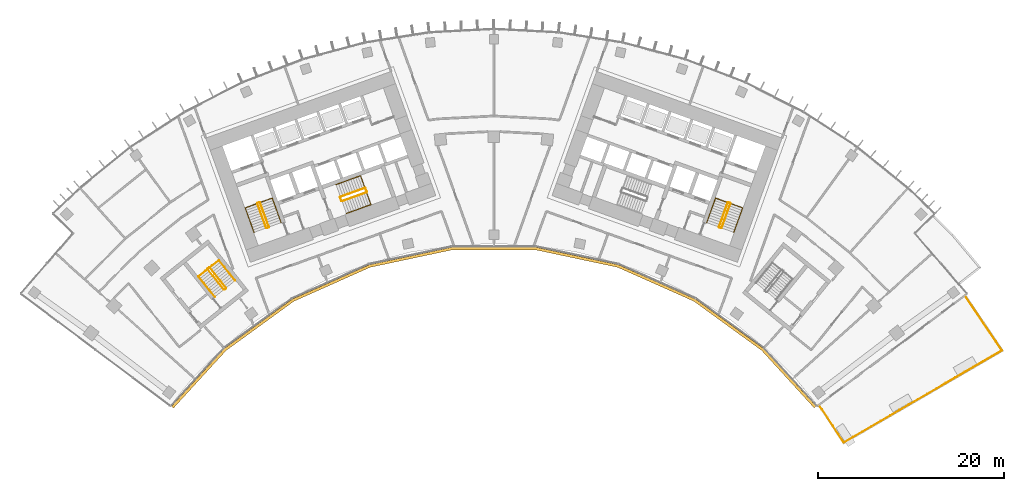
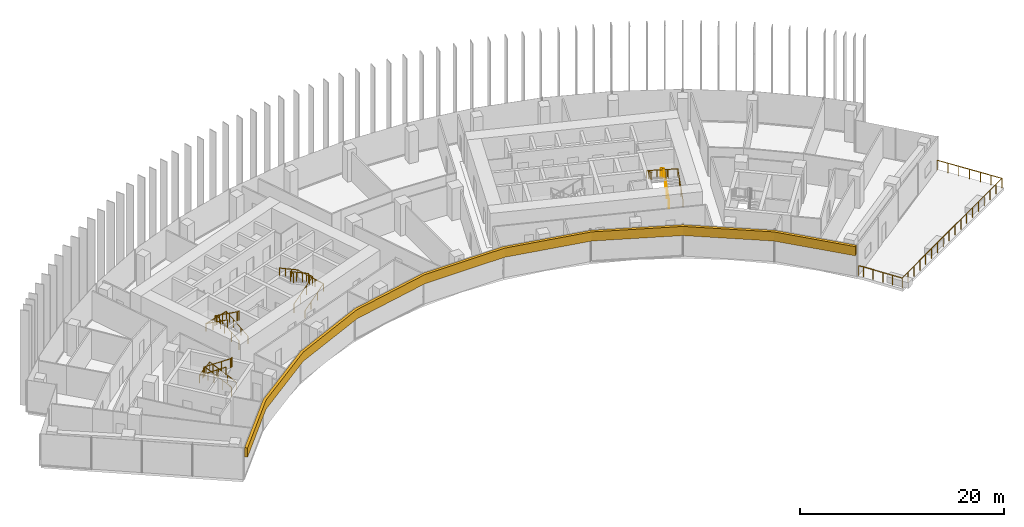
# One storey, part 21 of 23: 13 railings, 1 covering.
"""IFC4 building model written with IfcOpenShell, lengths in metres."""

from ifc_helpers import new_model, si_unit, direction, frame, origin, origin_2d, place, context, subcontext, project, spatial, polyline, circle, outline, extrude, material, layer, layer_set, type_object, element, save


model = new_model("IFC4")

# Units and contexts
model_context = context("Model", 3, precision=1e-05, world=origin(), true_north=direction((0.0, 1.0)))
body_context = subcontext(model_context, "Body", "Model", "MODEL_VIEW")
ifc_project = project(units=[si_unit("LENGTHUNIT", "METRE"), si_unit("AREAUNIT", "SQUARE_METRE"), si_unit("VOLUMEUNIT", "CUBIC_METRE"), si_unit("PLANEANGLEUNIT", "RADIAN"), si_unit("MASSUNIT", "GRAM", prefix="KILO")], contexts=[model_context])

# Site, building, storey
site_placement = place(None, origin())
site = spatial("IfcSite", under=ifc_project, at=site_placement, CompositionType="ELEMENT")
building_placement = place(site_placement, origin())
building = spatial("IfcBuilding", under=site, at=building_placement, Name="Stone Belt Terrace Tower", CompositionType="ELEMENT")
storey_placement = place(building_placement, frame((0.0, 0.0, 144.0)))
storey = spatial("IfcBuildingStorey", under=building, at=storey_placement, Name="L34", CompositionType="ELEMENT", Elevation=144.0)

# Railings
ifc_material_1 = material(Name="Structural steel C345", Category="steel")
railing_type_1 = type_object("IfcRailingType", Name="Stair guard 1100", PredefinedType="GUARDRAIL", material=ifc_material_1)
railing_1_placement = place(storey_placement, frame((-24.2119140625, 45.276123046875, 0.172607421875)))
element("IfcRailing", 1, at=railing_1_placement, inside=storey, type_object=railing_type_1, Name="L34 ST1A stair guard 1", PredefinedType="GUARDRAIL", context=body_context, shape_type="SweptSolid", body=[
    extrude(circle(Radius=0.02392578125, at=origin_2d()), frame((0.0, 0.0, 1.076171875), z_axis=(-0.288228637646, 0.800791768495, 0.525030280985), x_axis=(-0.940908529223, -0.338660803216, 0.0)), (0.0, 0.0, 1.0), 3.289794921875),
    extrude(circle(Radius=0.02392578125, at=origin_2d()), frame((-0.9482421875, 2.634521484375, 2.80322265625), z_axis=(-0.905209821074, 0.424964916, 0.0), x_axis=(-0.424964916, -0.905209821074, 0.0)), (0.0, 0.0, 1.0), 0.070556640625),
    extrude(circle(Radius=0.02392578125, at=origin_2d()), frame((-1.01220703125, 2.66455078125, 2.80322265625), z_axis=(-0.941105063269, -0.338114270461, 0.0), x_axis=(0.338114270461, -0.941105063269, 0.0)), (0.0, 0.0, 1.0), 0.199951171875),
    extrude(circle(Radius=0.02099609375, at=origin_2d()), origin(), (0.0, 0.0, 1.0), 1.052001953125),
    extrude(circle(Radius=0.02099609375, at=origin_2d()), frame((-0.316162109375, 0.878173828125, 0.57568359375)), (0.0, 0.0, 1.0), 1.052001953125),
    extrude(circle(Radius=0.02099609375, at=origin_2d()), frame((-0.632080078125, 1.75634765625, 1.151611328125)), (0.0, 0.0, 1.0), 1.052001953125),
    extrude(circle(Radius=0.02099609375, at=origin_2d()), frame((-0.9482421875, 2.634521484375, 1.727294921875)), (0.0, 0.0, 1.0), 1.052001953125),
    extrude(circle(Radius=0.02099609375, at=origin_2d()), frame((-1.01220703125, 2.66455078125, 1.727294921875)), (0.0, 0.0, 1.0), 1.052001953125),
    extrude(circle(Radius=0.02099609375, at=origin_2d()), frame((-1.200439453125, 2.596923828125, 1.727294921875)), (0.0, 0.0, 1.0), 1.052001953125),
])
railing_2_placement = place(storey_placement, frame((-25.4423828125, 47.80908203125, 2.07275390625)))
element("IfcRailing", 2, at=railing_2_placement, inside=storey, type_object=railing_type_1, Name="L34 ST1A stair guard 2", PredefinedType="GUARDRAIL", context=body_context, shape_type="SweptSolid", body=[
    extrude(circle(Radius=0.02392578125, at=origin_2d()), frame((0.0, 0.0, 1.076171875), z_axis=(0.288228637646, -0.800791768495, 0.525030280985), x_axis=(0.940908529223, 0.338660803216, 0.0)), (0.0, 0.0, 1.0), 3.289794921875),
    extrude(circle(Radius=0.02392578125, at=origin_2d()), frame((0.9482421875, -2.634521484375, 2.80322265625), z_axis=(0.903878284585, -0.427789722475, 0.0), x_axis=(0.427789722475, 0.903878284585, 0.0)), (0.0, 0.0, 1.0), 0.07080078125),
    extrude(circle(Radius=0.02392578125, at=origin_2d()), frame((1.01220703125, -2.664794921875, 2.80322265625), z_axis=(0.940575576748, 0.339584429008, 0.0), x_axis=(-0.339584429008, 0.940575576748, 0.0)), (0.0, 0.0, 1.0), 0.199951171875),
    extrude(circle(Radius=0.02099609375, at=origin_2d()), origin(), (0.0, 0.0, 1.0), 1.052001953125),
    extrude(circle(Radius=0.02099609375, at=origin_2d()), frame((0.316162109375, -0.878173828125, 0.57568359375)), (0.0, 0.0, 1.0), 1.052001953125),
    extrude(circle(Radius=0.02099609375, at=origin_2d()), frame((0.632080078125, -1.75634765625, 1.151611328125)), (0.0, 0.0, 1.0), 1.052001953125),
    extrude(circle(Radius=0.02099609375, at=origin_2d()), frame((0.9482421875, -2.634521484375, 1.727294921875)), (0.0, 0.0, 1.0), 1.052001953125),
    extrude(circle(Radius=0.02099609375, at=origin_2d()), frame((1.01220703125, -2.664794921875, 1.727294921875)), (0.0, 0.0, 1.0), 1.052001953125),
    extrude(circle(Radius=0.02099609375, at=origin_2d()), frame((1.2001953125, -2.596923828125, 1.727294921875)), (0.0, 0.0, 1.0), 1.052001953125),
])
railing_3_placement = place(storey_placement, frame((-16.33837890625, 48.056640625, 0.172607421875)))
element("IfcRailing", 3, at=railing_3_placement, inside=storey, type_object=railing_type_1, Name="L34 ST2A stair guard 1", PredefinedType="GUARDRAIL", context=body_context, shape_type="SweptSolid", body=[
    extrude(circle(Radius=0.02392578125, at=origin_2d()), frame((0.0, 0.0, 1.076171875), z_axis=(0.800808895155, 0.288160591223, 0.52504150989), x_axis=(-0.338583606334, 0.940936311087, 0.0)), (0.0, 0.0, 1.0), 3.289794921875),
    extrude(circle(Radius=0.02392578125, at=origin_2d()), frame((2.634521484375, 0.947998046875, 2.80322265625), z_axis=(0.427789722475, 0.903878284585, 0.0), x_axis=(-0.903878284585, 0.427789722475, 0.0)), (0.0, 0.0, 1.0), 0.07080078125),
    extrude(circle(Radius=0.02392578125, at=origin_2d()), frame((2.664794921875, 1.011962890625, 2.80322265625), z_axis=(-0.338654645739, 0.940910745459, 0.0), x_axis=(-0.940910745459, -0.338654645739, 0.0)), (0.0, 0.0, 1.0), 0.400146484375),
    extrude(circle(Radius=0.02099609375, at=origin_2d()), origin(), (0.0, 0.0, 1.0), 1.052001953125),
    extrude(circle(Radius=0.02099609375, at=origin_2d()), frame((0.878173828125, 0.31591796875, 0.57568359375)), (0.0, 0.0, 1.0), 1.052001953125),
    extrude(circle(Radius=0.02099609375, at=origin_2d()), frame((1.75634765625, 0.632080078125, 1.151611328125)), (0.0, 0.0, 1.0), 1.052001953125),
    extrude(circle(Radius=0.02099609375, at=origin_2d()), frame((2.634521484375, 0.947998046875, 1.727294921875)), (0.0, 0.0, 1.0), 1.052001953125),
    extrude(circle(Radius=0.02099609375, at=origin_2d()), frame((2.664794921875, 1.011962890625, 1.727294921875)), (0.0, 0.0, 1.0), 1.052001953125),
    extrude(circle(Radius=0.02099609375, at=origin_2d()), frame((2.529296875, 1.388427734375, 1.727294921875)), (0.0, 0.0, 1.0), 1.052001953125),
])
railing_4_placement = place(storey_placement, frame((-13.873046875, 49.47509765625, 2.07275390625)))
element("IfcRailing", 4, at=railing_4_placement, inside=storey, type_object=railing_type_1, Name="L34 ST2A stair guard 2", PredefinedType="GUARDRAIL", context=body_context, shape_type="SweptSolid", body=[
    extrude(circle(Radius=0.02392578125, at=origin_2d()), frame((0.0, 0.0, 1.076171875), z_axis=(-0.800808895155, -0.288160591223, 0.52504150989), x_axis=(0.338583606334, -0.940936311087, 0.0)), (0.0, 0.0, 1.0), 3.289794921875),
    extrude(circle(Radius=0.02392578125, at=origin_2d()), frame((-2.634521484375, -0.947998046875, 2.80322265625), z_axis=(-0.427789722475, -0.903878284585, 0.0), x_axis=(0.903878284585, -0.427789722475, 0.0)), (0.0, 0.0, 1.0), 0.07080078125),
    extrude(circle(Radius=0.02392578125, at=origin_2d()), frame((-2.664794921875, -1.011962890625, 2.80322265625), z_axis=(0.338654645739, -0.940910745459, 0.0), x_axis=(0.940910745459, 0.338654645739, 0.0)), (0.0, 0.0, 1.0), 0.400146484375),
    extrude(circle(Radius=0.02099609375, at=origin_2d()), origin(), (0.0, 0.0, 1.0), 1.052001953125),
    extrude(circle(Radius=0.02099609375, at=origin_2d()), frame((-0.878173828125, -0.31591796875, 0.57568359375)), (0.0, 0.0, 1.0), 1.052001953125),
    extrude(circle(Radius=0.02099609375, at=origin_2d()), frame((-1.75634765625, -0.632080078125, 1.151611328125)), (0.0, 0.0, 1.0), 1.052001953125),
    extrude(circle(Radius=0.02099609375, at=origin_2d()), frame((-2.634521484375, -0.947998046875, 1.727294921875)), (0.0, 0.0, 1.0), 1.052001953125),
    extrude(circle(Radius=0.02099609375, at=origin_2d()), frame((-2.664794921875, -1.011962890625, 1.727294921875)), (0.0, 0.0, 1.0), 1.052001953125),
    extrude(circle(Radius=0.02099609375, at=origin_2d()), frame((-2.529296875, -1.388427734375, 1.727294921875)), (0.0, 0.0, 1.0), 1.052001953125),
])
railing_5_placement = place(storey_placement, frame((24.494140625, 45.174560546875, 0.172607421875)))
element("IfcRailing", 5, at=railing_5_placement, inside=storey, type_object=railing_type_1, Name="L34 ST1B stair guard 1", PredefinedType="GUARDRAIL", context=body_context, shape_type="SweptSolid", body=[
    extrude(circle(Radius=0.02392578125, at=origin_2d()), frame((0.0, 0.0, 1.076171875), z_axis=(0.288228637646, 0.800791768495, 0.525030280985), x_axis=(-0.940908529223, 0.338660803216, 0.0)), (0.0, 0.0, 1.0), 3.289794921875),
    extrude(circle(Radius=0.02392578125, at=origin_2d()), frame((0.9482421875, 2.634521484375, 2.80322265625), z_axis=(-0.424964916, 0.905209821074, 0.0), x_axis=(-0.905209821074, -0.424964916, 0.0)), (0.0, 0.0, 1.0), 0.070556640625),
    extrude(circle(Radius=0.02392578125, at=origin_2d()), frame((0.918212890625, 2.698486328125, 2.80322265625), z_axis=(-0.941105063269, 0.338114270461, 0.0), x_axis=(-0.338114270461, -0.941105063269, 0.0)), (0.0, 0.0, 1.0), 0.199951171875),
    extrude(circle(Radius=0.02099609375, at=origin_2d()), origin(), (0.0, 0.0, 1.0), 1.052001953125),
    extrude(circle(Radius=0.02099609375, at=origin_2d()), frame((0.316162109375, 0.878173828125, 0.57568359375)), (0.0, 0.0, 1.0), 1.052001953125),
    extrude(circle(Radius=0.02099609375, at=origin_2d()), frame((0.632080078125, 1.75634765625, 1.151611328125)), (0.0, 0.0, 1.0), 1.052001953125),
    extrude(circle(Radius=0.02099609375, at=origin_2d()), frame((0.9482421875, 2.634521484375, 1.727294921875)), (0.0, 0.0, 1.0), 1.052001953125),
    extrude(circle(Radius=0.02099609375, at=origin_2d()), frame((0.918212890625, 2.698486328125, 1.727294921875)), (0.0, 0.0, 1.0), 1.052001953125),
    extrude(circle(Radius=0.02099609375, at=origin_2d()), frame((0.72998046875, 2.76611328125, 1.727294921875)), (0.0, 0.0, 1.0), 1.052001953125),
])
railing_6_placement = place(storey_placement, frame((25.16015625, 47.91064453125, 2.07275390625)))
element("IfcRailing", 6, at=railing_6_placement, inside=storey, type_object=railing_type_1, Name="L34 ST1B stair guard 2", PredefinedType="GUARDRAIL", context=body_context, shape_type="SweptSolid", body=[
    extrude(circle(Radius=0.02392578125, at=origin_2d()), frame((0.0, 0.0, 1.076171875), z_axis=(-0.288228637646, -0.800791768495, 0.525030280985), x_axis=(0.940908529223, -0.338660803216, 0.0)), (0.0, 0.0, 1.0), 3.289794921875),
    extrude(circle(Radius=0.02392578125, at=origin_2d()), frame((-0.9482421875, -2.634521484375, 2.80322265625), z_axis=(0.427789722475, -0.903878284585, 0.0), x_axis=(0.903878284585, 0.427789722475, 0.0)), (0.0, 0.0, 1.0), 0.07080078125),
    extrude(circle(Radius=0.02392578125, at=origin_2d()), frame((-0.91796875, -2.698486328125, 2.80322265625), z_axis=(0.940575576748, -0.339584429008, 0.0), x_axis=(0.339584429008, 0.940575576748, 0.0)), (0.0, 0.0, 1.0), 0.199951171875),
    extrude(circle(Radius=0.02099609375, at=origin_2d()), origin(), (0.0, 0.0, 1.0), 1.052001953125),
    extrude(circle(Radius=0.02099609375, at=origin_2d()), frame((-0.316162109375, -0.878173828125, 0.57568359375)), (0.0, 0.0, 1.0), 1.052001953125),
    extrude(circle(Radius=0.02099609375, at=origin_2d()), frame((-0.632080078125, -1.75634765625, 1.151611328125)), (0.0, 0.0, 1.0), 1.052001953125),
    extrude(circle(Radius=0.02099609375, at=origin_2d()), frame((-0.9482421875, -2.634521484375, 1.727294921875)), (0.0, 0.0, 1.0), 1.052001953125),
    extrude(circle(Radius=0.02099609375, at=origin_2d()), frame((-0.91796875, -2.698486328125, 1.727294921875)), (0.0, 0.0, 1.0), 1.052001953125),
    extrude(circle(Radius=0.02099609375, at=origin_2d()), frame((-0.72998046875, -2.766357421875, 1.727294921875)), (0.0, 0.0, 1.0), 1.052001953125),
])
railing_7_placement = place(storey_placement, frame((-28.814208984375, 38.734619140625, 0.172607421875)))
element("IfcRailing", 7, at=railing_7_placement, inside=storey, type_object=railing_type_1, Name="L34 ST3A stair guard 1", PredefinedType="GUARDRAIL", context=body_context, shape_type="SweptSolid", body=[
    extrude(circle(Radius=0.02392578125, at=origin_2d()), frame((0.0, 0.0, 1.076171875), z_axis=(-0.530306321799, 0.665665785969, 0.525037395288), x_axis=(-0.782143211408, -0.623098705543, 0.0)), (0.0, 0.0, 1.0), 3.289794921875),
    extrude(circle(Radius=0.02392578125, at=origin_2d()), frame((-1.74462890625, 2.18994140625, 2.80322265625), z_axis=(-0.993883734674, 0.110431526075, 0.0), x_axis=(-0.110431526075, -0.993883734674, 0.0)), (0.0, 0.0, 1.0), 0.07080078125),
    extrude(circle(Radius=0.02392578125, at=origin_2d()), frame((-1.81494140625, 2.19775390625, 2.80322265625), z_axis=(-0.782533463299, -0.622608527742, 0.0), x_axis=(0.622608527742, -0.782533463299, 0.0)), (0.0, 0.0, 1.0), 0.199951171875),
    extrude(circle(Radius=0.02099609375, at=origin_2d()), origin(), (0.0, 0.0, 1.0), 1.052001953125),
    extrude(circle(Radius=0.02099609375, at=origin_2d()), frame((-0.58154296875, 0.72998046875, 0.57568359375)), (0.0, 0.0, 1.0), 1.052001953125),
    extrude(circle(Radius=0.02099609375, at=origin_2d()), frame((-1.1630859375, 1.4599609375, 1.151611328125)), (0.0, 0.0, 1.0), 1.052001953125),
    extrude(circle(Radius=0.02099609375, at=origin_2d()), frame((-1.74462890625, 2.18994140625, 1.727294921875)), (0.0, 0.0, 1.0), 1.052001953125),
    extrude(circle(Radius=0.02099609375, at=origin_2d()), frame((-1.81494140625, 2.19775390625, 1.727294921875)), (0.0, 0.0, 1.0), 1.052001953125),
    extrude(circle(Radius=0.02099609375, at=origin_2d()), frame((-1.971435546875, 2.0732421875, 1.727294921875)), (0.0, 0.0, 1.0), 1.052001953125),
])
railing_8_placement = place(storey_placement, frame((-30.793701171875, 40.737548828125, 2.07275390625)))
element("IfcRailing", 8, at=railing_8_placement, inside=storey, type_object=railing_type_1, Name="L34 ST3A stair guard 2", PredefinedType="GUARDRAIL", context=body_context, shape_type="SweptSolid", body=[
    extrude(circle(Radius=0.02392578125, at=origin_2d()), frame((0.0, 0.0, 1.076171875), z_axis=(0.530359659125, -0.665639588968, 0.525016732659), x_axis=(0.782100716982, 0.62315204284, 0.0)), (0.0, 0.0, 1.0), 3.2900390625),
    extrude(circle(Radius=0.02392578125, at=origin_2d()), frame((1.744873046875, -2.18994140625, 2.80322265625), z_axis=(0.993499272973, -0.113838458361, 0.0), x_axis=(0.113838458361, 0.993499272973, 0.0)), (0.0, 0.0, 1.0), 0.07080078125),
    extrude(circle(Radius=0.02392578125, at=origin_2d()), frame((1.815185546875, -2.197998046875, 2.80322265625), z_axis=(0.781464082609, 0.623950228458, 0.0), x_axis=(-0.623950228458, 0.781464082609, 0.0)), (0.0, 0.0, 1.0), 0.199951171875),
    extrude(circle(Radius=0.02099609375, at=origin_2d()), origin(), (0.0, 0.0, 1.0), 1.052001953125),
    extrude(circle(Radius=0.02099609375, at=origin_2d()), frame((0.58154296875, -0.72998046875, 0.57568359375)), (0.0, 0.0, 1.0), 1.052001953125),
    extrude(circle(Radius=0.02099609375, at=origin_2d()), frame((1.163330078125, -1.4599609375, 1.151611328125)), (0.0, 0.0, 1.0), 1.052001953125),
    extrude(circle(Radius=0.02099609375, at=origin_2d()), frame((1.744873046875, -2.18994140625, 1.727294921875)), (0.0, 0.0, 1.0), 1.052001953125),
    extrude(circle(Radius=0.02099609375, at=origin_2d()), frame((1.815185546875, -2.197998046875, 1.727294921875)), (0.0, 0.0, 1.0), 1.052001953125),
    extrude(circle(Radius=0.02099609375, at=origin_2d()), frame((1.971435546875, -2.0732421875, 1.727294921875)), (0.0, 0.0, 1.0), 1.052001953125),
])
railing_type_2 = type_object("IfcRailingType", Name="Stair handrail 900", PredefinedType="HANDRAIL", material=ifc_material_1)
railing_9_placement = place(storey_placement, frame((-22.894775390625, 45.750244140625, 0.172607421875)))
element("IfcRailing", 9, at=railing_9_placement, inside=storey, type_object=railing_type_2, Name="L34 ST1A stair handrail 1", PredefinedType="HANDRAIL", context=body_context, shape_type="SweptSolid", body=[
    extrude(circle(Radius=0.02392578125, at=origin_2d()), frame((0.0, 0.0, 0.8759765625), z_axis=(-0.288160591223, 0.800808895155, 0.52504150989), x_axis=(-0.940936311087, -0.338583606334, 0.0)), (0.0, 0.0, 1.0), 3.289794921875),
    extrude(circle(Radius=0.02392578125, at=origin_2d()), frame((-0.947998046875, 2.634521484375, 2.60302734375), z_axis=(-0.939460408074, -0.338105101667, 0.055669398135), x_axis=(0.338630230244, -0.940919532779, 0.0)), (0.0, 0.0, 1.0), 3.10498046875),
    extrude(circle(Radius=0.02392578125, at=origin_2d()), frame((-3.864990234375, 1.584716796875, 2.77587890625), z_axis=(0.288228637646, -0.800791768495, 0.525030280985), x_axis=(0.940908529223, 0.338660803216, 0.0)), (0.0, 0.0, 1.0), 3.289794921875),
    extrude(circle(Radius=0.02099609375, at=origin_2d()), origin(), (0.0, 0.0, 1.0), 0.851806640625),
    extrude(circle(Radius=0.02099609375, at=origin_2d()), frame((-0.31591796875, 0.878173828125, 0.57568359375)), (0.0, 0.0, 1.0), 0.851806640625),
    extrude(circle(Radius=0.02099609375, at=origin_2d()), frame((-0.632080078125, 1.75634765625, 1.151611328125)), (0.0, 0.0, 1.0), 0.851806640625),
    extrude(circle(Radius=0.02099609375, at=origin_2d()), frame((-0.947998046875, 2.634521484375, 1.727294921875)), (0.0, 0.0, 1.0), 0.851806640625),
    extrude(circle(Radius=0.02099609375, at=origin_2d()), frame((-1.92041015625, 2.28466796875, 1.784912109375)), (0.0, 0.0, 1.0), 0.851806640625),
    extrude(circle(Radius=0.02099609375, at=origin_2d()), frame((-2.892578125, 1.9345703125, 1.842529296875)), (0.0, 0.0, 1.0), 0.851806640625),
    extrude(circle(Radius=0.02099609375, at=origin_2d()), frame((-3.864990234375, 1.584716796875, 1.900146484375)), (0.0, 0.0, 1.0), 0.851806640625),
    extrude(circle(Radius=0.02099609375, at=origin_2d()), frame((-3.548828125, 0.70654296875, 2.475830078125)), (0.0, 0.0, 1.0), 0.851806640625),
    extrude(circle(Radius=0.02099609375, at=origin_2d()), frame((-3.23291015625, -0.171630859375, 3.0517578125)), (0.0, 0.0, 1.0), 0.851806640625),
    extrude(circle(Radius=0.02099609375, at=origin_2d()), frame((-2.916748046875, -1.0498046875, 3.62744140625)), (0.0, 0.0, 1.0), 0.851806640625),
])
railing_10_placement = place(storey_placement, frame((-15.8642578125, 46.7392578125, 0.172607421875)))
element("IfcRailing", 10, at=railing_10_placement, inside=storey, type_object=railing_type_2, Name="L34 ST2A stair handrail 1", PredefinedType="HANDRAIL", context=body_context, shape_type="SweptSolid", body=[
    extrude(circle(Radius=0.02392578125, at=origin_2d()), frame((0.0, 0.0, 0.8759765625), z_axis=(0.800791768495, 0.288228637646, 0.525030280985), x_axis=(-0.338660803216, 0.940908529223, 0.0)), (0.0, 0.0, 1.0), 3.289794921875),
    extrude(circle(Radius=0.02392578125, at=origin_2d()), frame((2.634521484375, 0.9482421875, 2.60302734375), z_axis=(-0.338158948057, 0.939634149308, 0.052308615955), x_axis=(-0.940922302781, -0.338622533404, 0.0)), (0.0, 0.0, 1.0), 3.304443359375),
    extrude(circle(Radius=0.02392578125, at=origin_2d()), frame((1.51708984375, 4.05322265625, 2.77587890625), z_axis=(-0.800791768495, -0.288228637646, 0.525030280985), x_axis=(0.338660803216, -0.940908529223, 0.0)), (0.0, 0.0, 1.0), 3.289794921875),
    extrude(circle(Radius=0.02099609375, at=origin_2d()), origin(), (0.0, 0.0, 1.0), 0.851806640625),
    extrude(circle(Radius=0.02099609375, at=origin_2d()), frame((0.878173828125, 0.316162109375, 0.57568359375)), (0.0, 0.0, 1.0), 0.851806640625),
    extrude(circle(Radius=0.02099609375, at=origin_2d()), frame((1.75634765625, 0.632080078125, 1.151611328125)), (0.0, 0.0, 1.0), 0.851806640625),
    extrude(circle(Radius=0.02099609375, at=origin_2d()), frame((2.634521484375, 0.9482421875, 1.727294921875)), (0.0, 0.0, 1.0), 0.851806640625),
    extrude(circle(Radius=0.02099609375, at=origin_2d()), frame((2.261962890625, 1.983154296875, 1.784912109375)), (0.0, 0.0, 1.0), 0.851806640625),
    extrude(circle(Radius=0.02099609375, at=origin_2d()), frame((1.8896484375, 3.018310546875, 1.842529296875)), (0.0, 0.0, 1.0), 0.851806640625),
    extrude(circle(Radius=0.02099609375, at=origin_2d()), frame((1.51708984375, 4.05322265625, 1.900146484375)), (0.0, 0.0, 1.0), 0.851806640625),
    extrude(circle(Radius=0.02099609375, at=origin_2d()), frame((0.638916015625, 3.737060546875, 2.475830078125)), (0.0, 0.0, 1.0), 0.851806640625),
    extrude(circle(Radius=0.02099609375, at=origin_2d()), frame((-0.2392578125, 3.421142578125, 3.0517578125)), (0.0, 0.0, 1.0), 0.851806640625),
    extrude(circle(Radius=0.02099609375, at=origin_2d()), frame((-1.117431640625, 3.10498046875, 3.62744140625)), (0.0, 0.0, 1.0), 0.851806640625),
])
railing_11_placement = place(storey_placement, frame((25.8115234375, 44.700439453125, 0.172607421875)))
element("IfcRailing", 11, at=railing_11_placement, inside=storey, type_object=railing_type_2, Name="L34 ST1B stair handrail 1", PredefinedType="HANDRAIL", context=body_context, shape_type="SweptSolid", body=[
    extrude(circle(Radius=0.02392578125, at=origin_2d()), frame((0.0, 0.0, 0.8759765625), z_axis=(0.288228637646, 0.800791768495, 0.525030280985), x_axis=(-0.940908529223, 0.338660803216, 0.0)), (0.0, 0.0, 1.0), 3.289794921875),
    extrude(circle(Radius=0.02392578125, at=origin_2d()), frame((0.9482421875, 2.634521484375, 2.60302734375), z_axis=(-0.939460408074, 0.338105101667, 0.055669398135), x_axis=(-0.338630230244, -0.940919532779, 0.0)), (0.0, 0.0, 1.0), 3.10498046875),
    extrude(circle(Radius=0.02392578125, at=origin_2d()), frame((-1.96875, 3.684326171875, 2.77587890625), z_axis=(-0.288160591223, -0.800808895155, 0.52504150989), x_axis=(0.940936311087, -0.338583606334, 0.0)), (0.0, 0.0, 1.0), 3.289794921875),
    extrude(circle(Radius=0.02099609375, at=origin_2d()), origin(), (0.0, 0.0, 1.0), 0.851806640625),
    extrude(circle(Radius=0.02099609375, at=origin_2d()), frame((0.316162109375, 0.878173828125, 0.57568359375)), (0.0, 0.0, 1.0), 0.851806640625),
    extrude(circle(Radius=0.02099609375, at=origin_2d()), frame((0.632080078125, 1.75634765625, 1.151611328125)), (0.0, 0.0, 1.0), 0.851806640625),
    extrude(circle(Radius=0.02099609375, at=origin_2d()), frame((0.9482421875, 2.634521484375, 1.727294921875)), (0.0, 0.0, 1.0), 0.851806640625),
    extrude(circle(Radius=0.02099609375, at=origin_2d()), frame((-0.024169921875, 2.984375, 1.784912109375)), (0.0, 0.0, 1.0), 0.851806640625),
    extrude(circle(Radius=0.02099609375, at=origin_2d()), frame((-0.996337890625, 3.33447265625, 1.842529296875)), (0.0, 0.0, 1.0), 0.851806640625),
    extrude(circle(Radius=0.02099609375, at=origin_2d()), frame((-1.96875, 3.684326171875, 1.900146484375)), (0.0, 0.0, 1.0), 0.851806640625),
    extrude(circle(Radius=0.02099609375, at=origin_2d()), frame((-2.28466796875, 2.80615234375, 2.475830078125)), (0.0, 0.0, 1.0), 0.851806640625),
    extrude(circle(Radius=0.02099609375, at=origin_2d()), frame((-2.600830078125, 1.927978515625, 3.0517578125)), (0.0, 0.0, 1.0), 0.851806640625),
    extrude(circle(Radius=0.02099609375, at=origin_2d()), frame((-2.916748046875, 1.0498046875, 3.62744140625)), (0.0, 0.0, 1.0), 0.851806640625),
])
railing_12_placement = place(storey_placement, frame((-27.836669921875, 39.513427734375, 0.172607421875)))
element("IfcRailing", 12, at=railing_12_placement, inside=storey, type_object=railing_type_2, Name="L34 ST3A stair handrail 1", PredefinedType="HANDRAIL", context=body_context, shape_type="SweptSolid", body=[
    extrude(circle(Radius=0.02392578125, at=origin_2d()), frame((0.0, 0.0, 0.8759765625), z_axis=(-0.530306321799, 0.665665785969, 0.525037395288), x_axis=(-0.782143211408, -0.623098705543, 0.0)), (0.0, 0.0, 1.0), 3.289794921875),
    extrude(circle(Radius=0.02392578125, at=origin_2d()), frame((-1.74462890625, 2.18994140625, 2.60302734375), z_axis=(-0.78065703189, -0.621914732429, 0.061617076765), x_axis=(0.623098705543, -0.782143211408, 0.0)), (0.0, 0.0, 1.0), 2.80517578125),
    extrude(circle(Radius=0.02392578125, at=origin_2d()), frame((-3.9345703125, 0.4453125, 2.77587890625), z_axis=(0.530306321799, -0.665665785969, 0.525037395288), x_axis=(0.782143211408, 0.623098705543, 0.0)), (0.0, 0.0, 1.0), 3.289794921875),
    extrude(circle(Radius=0.02099609375, at=origin_2d()), origin(), (0.0, 0.0, 1.0), 0.851806640625),
    extrude(circle(Radius=0.02099609375, at=origin_2d()), frame((-0.58154296875, 0.72998046875, 0.57568359375)), (0.0, 0.0, 1.0), 0.851806640625),
    extrude(circle(Radius=0.02099609375, at=origin_2d()), frame((-1.1630859375, 1.4599609375, 1.151611328125)), (0.0, 0.0, 1.0), 0.851806640625),
    extrude(circle(Radius=0.02099609375, at=origin_2d()), frame((-1.74462890625, 2.18994140625, 1.727294921875)), (0.0, 0.0, 1.0), 0.851806640625),
    extrude(circle(Radius=0.02099609375, at=origin_2d()), frame((-2.474609375, 1.6083984375, 1.784912109375)), (0.0, 0.0, 1.0), 0.851806640625),
    extrude(circle(Radius=0.02099609375, at=origin_2d()), frame((-3.20458984375, 1.02685546875, 1.842529296875)), (0.0, 0.0, 1.0), 0.851806640625),
    extrude(circle(Radius=0.02099609375, at=origin_2d()), frame((-3.9345703125, 0.4453125, 1.900146484375)), (0.0, 0.0, 1.0), 0.851806640625),
    extrude(circle(Radius=0.02099609375, at=origin_2d()), frame((-3.35302734375, -0.28466796875, 2.475830078125)), (0.0, 0.0, 1.0), 0.851806640625),
    extrude(circle(Radius=0.02099609375, at=origin_2d()), frame((-2.771484375, -1.0146484375, 3.0517578125)), (0.0, 0.0, 1.0), 0.851806640625),
    extrude(circle(Radius=0.02099609375, at=origin_2d()), frame((-2.18994140625, -1.74462890625, 3.62744140625)), (0.0, 0.0, 1.0), 0.851806640625),
])
ifc_material_2 = material(Name="Stainless steel AISI 304", Category="steel")
railing_type_3 = type_object("IfcRailingType", Name="Terrace guard 1200", PredefinedType="GUARDRAIL", material=ifc_material_2)
railing_13_placement = place(storey_placement, frame((34.990234375, 26.056396484375, 0.0)))
element("IfcRailing", 13, at=railing_13_placement, inside=storey, type_object=railing_type_3, Name="GUARD L34 1.1", PredefinedType="GUARDRAIL", context=body_context, shape_type="SweptSolid", body=[
    extrude(circle(Radius=0.02490234375, at=origin_2d()), frame((0.0, 0.0, 1.1748046875), z_axis=(0.629375849461, -0.777101048844, 0.0), x_axis=(0.777101048844, 0.629375849461, 0.0)), (0.0, 0.0, 1.0), 0.513916015625),
    extrude(circle(Radius=0.02490234375, at=origin_2d()), frame((0.323486328125, -0.3994140625, 1.1748046875), z_axis=(0.546121044197, -0.837706276141, 0.0), x_axis=(0.837706276141, 0.546121044197, 0.0)), (0.0, 0.0, 1.0), 4.263427734375),
    extrude(circle(Radius=0.02490234375, at=origin_2d()), frame((2.65185546875, -3.970947265625, 1.1748046875), z_axis=(0.864239779666, 0.503080116127, 0.0), x_axis=(-0.503080116127, 0.864239779666, 0.0)), (0.0, 0.0, 1.0), 19.697021484375),
    extrude(circle(Radius=0.02490234375, at=origin_2d()), frame((19.6748046875, 5.938232421875, 1.1748046875), z_axis=(-0.560382600121, 0.828233868832, 0.0), x_axis=(-0.828233868832, -0.560382600121, 0.0)), (0.0, 0.0, 1.0), 7.06298828125),
    extrude(circle(Radius=0.02001953125, at=origin_2d()), origin(), (0.0, 0.0, 1.0), 1.14990234375),
    extrude(circle(Radius=0.02001953125, at=origin_2d()), frame((0.323486328125, -0.3994140625, 0.0)), (0.0, 0.0, 1.0), 1.14990234375),
    extrude(circle(Radius=0.02001953125, at=origin_2d()), frame((0.905517578125, -1.292236328125, 0.0)), (0.0, 0.0, 1.0), 1.14990234375),
    extrude(circle(Radius=0.02001953125, at=origin_2d()), frame((1.48779296875, -2.18505859375, 0.0)), (0.0, 0.0, 1.0), 1.14990234375),
    extrude(circle(Radius=0.02001953125, at=origin_2d()), frame((2.06982421875, -3.078125, 0.0)), (0.0, 0.0, 1.0), 1.14990234375),
    extrude(circle(Radius=0.02001953125, at=origin_2d()), frame((2.65185546875, -3.970947265625, 0.0)), (0.0, 0.0, 1.0), 1.14990234375),
    extrude(circle(Radius=0.02001953125, at=origin_2d()), frame((3.6533203125, -3.387939453125, 0.0)), (0.0, 0.0, 1.0), 1.14990234375),
    extrude(circle(Radius=0.02001953125, at=origin_2d()), frame((4.654541015625, -2.80517578125, 0.0)), (0.0, 0.0, 1.0), 1.14990234375),
    extrude(circle(Radius=0.02001953125, at=origin_2d()), frame((5.656005859375, -2.22216796875, 0.0)), (0.0, 0.0, 1.0), 1.14990234375),
    extrude(circle(Radius=0.02001953125, at=origin_2d()), frame((6.6572265625, -1.639404296875, 0.0)), (0.0, 0.0, 1.0), 1.14990234375),
    extrude(circle(Radius=0.02001953125, at=origin_2d()), frame((7.65869140625, -1.056396484375, 0.0)), (0.0, 0.0, 1.0), 1.14990234375),
    extrude(circle(Radius=0.02001953125, at=origin_2d()), frame((8.659912109375, -0.4736328125, 0.0)), (0.0, 0.0, 1.0), 1.14990234375),
    extrude(circle(Radius=0.02001953125, at=origin_2d()), frame((9.661376953125, 0.109375, 0.0)), (0.0, 0.0, 1.0), 1.14990234375),
    extrude(circle(Radius=0.02001953125, at=origin_2d()), frame((10.66259765625, 0.692138671875, 0.0)), (0.0, 0.0, 1.0), 1.14990234375),
    extrude(circle(Radius=0.02001953125, at=origin_2d()), frame((11.6640625, 1.275146484375, 0.0)), (0.0, 0.0, 1.0), 1.14990234375),
    extrude(circle(Radius=0.02001953125, at=origin_2d()), frame((12.665283203125, 1.85791015625, 0.0)), (0.0, 0.0, 1.0), 1.14990234375),
    extrude(circle(Radius=0.02001953125, at=origin_2d()), frame((13.666748046875, 2.44091796875, 0.0)), (0.0, 0.0, 1.0), 1.14990234375),
    extrude(circle(Radius=0.02001953125, at=origin_2d()), frame((14.66796875, 3.023681640625, 0.0)), (0.0, 0.0, 1.0), 1.14990234375),
    extrude(circle(Radius=0.02001953125, at=origin_2d()), frame((15.66943359375, 3.606689453125, 0.0)), (0.0, 0.0, 1.0), 1.14990234375),
    extrude(circle(Radius=0.02001953125, at=origin_2d()), frame((16.670654296875, 4.189453125, 0.0)), (0.0, 0.0, 1.0), 1.14990234375),
    extrude(circle(Radius=0.02001953125, at=origin_2d()), frame((17.672119140625, 4.7724609375, 0.0)), (0.0, 0.0, 1.0), 1.14990234375),
    extrude(circle(Radius=0.02001953125, at=origin_2d()), frame((18.67333984375, 5.355224609375, 0.0)), (0.0, 0.0, 1.0), 1.14990234375),
    extrude(circle(Radius=0.02001953125, at=origin_2d()), frame((19.6748046875, 5.938232421875, 0.0)), (0.0, 0.0, 1.0), 1.14990234375),
    extrude(circle(Radius=0.02001953125, at=origin_2d()), frame((19.01513671875, 6.9130859375, 0.0)), (0.0, 0.0, 1.0), 1.14990234375),
    extrude(circle(Radius=0.02001953125, at=origin_2d()), frame((18.35546875, 7.88818359375, 0.0)), (0.0, 0.0, 1.0), 1.14990234375),
    extrude(circle(Radius=0.02001953125, at=origin_2d()), frame((17.69580078125, 8.86328125, 0.0)), (0.0, 0.0, 1.0), 1.14990234375),
    extrude(circle(Radius=0.02001953125, at=origin_2d()), frame((17.0361328125, 9.838134765625, 0.0)), (0.0, 0.0, 1.0), 1.14990234375),
    extrude(circle(Radius=0.02001953125, at=origin_2d()), frame((16.37646484375, 10.81298828125, 0.0)), (0.0, 0.0, 1.0), 1.14990234375),
    extrude(circle(Radius=0.02001953125, at=origin_2d()), frame((15.716796875, 11.7880859375, 0.0)), (0.0, 0.0, 1.0), 1.14990234375),
])

# Covering
ifc_material_3 = material(Name="Terracotta coloured glazed ceramic", Category="masonry")
ifc_layer = layer(ifc_material_3, 0.300048828125)
ifc_layer_set = layer_set([ifc_layer], Name="Terracotta spandrel band 300 x 1100")
covering_type = type_object("IfcCoveringType", Name="Terracotta spandrel band 300 x 1100", PredefinedType="CLADDING", material=ifc_layer_set)
covering_placement = place(storey_placement, frame((0.0, 0.0, 2.699951171875)))
element("IfcCovering", 14, at=covering_placement, inside=storey, type_object=covering_type, Name="BAND L34", PredefinedType="CLADDING", context=body_context, shape_type="SweptSolid", body=[
    extrude(outline(polyline([(-34.688720703125, 25.99951171875), (-29.0068359375, 32.21435546875), (-21.674560546875, 37.54150390625), (-13.395751953125, 41.2275390625), (-4.53125, 43.11181640625), (4.53125, 43.11181640625), (13.395751953125, 41.2275390625), (21.674560546875, 37.54150390625), (29.0068359375, 32.21435546875), (34.688720703125, 25.99951171875), (34.46728515625, 25.797119140625), (28.805908203125, 31.989501953125), (21.523681640625, 37.2802734375), (13.302490234375, 40.940673828125), (4.499755859375, 42.811767578125), (-4.499755859375, 42.811767578125), (-13.302490234375, 40.940673828125), (-21.523681640625, 37.2802734375), (-28.805908203125, 31.989501953125), (-34.46728515625, 25.797119140625), (-34.688720703125, 25.99951171875)])), origin(), (0.0, 0.0, 1.0), 1.10009765625),
])

save(model, "model.ifc")
